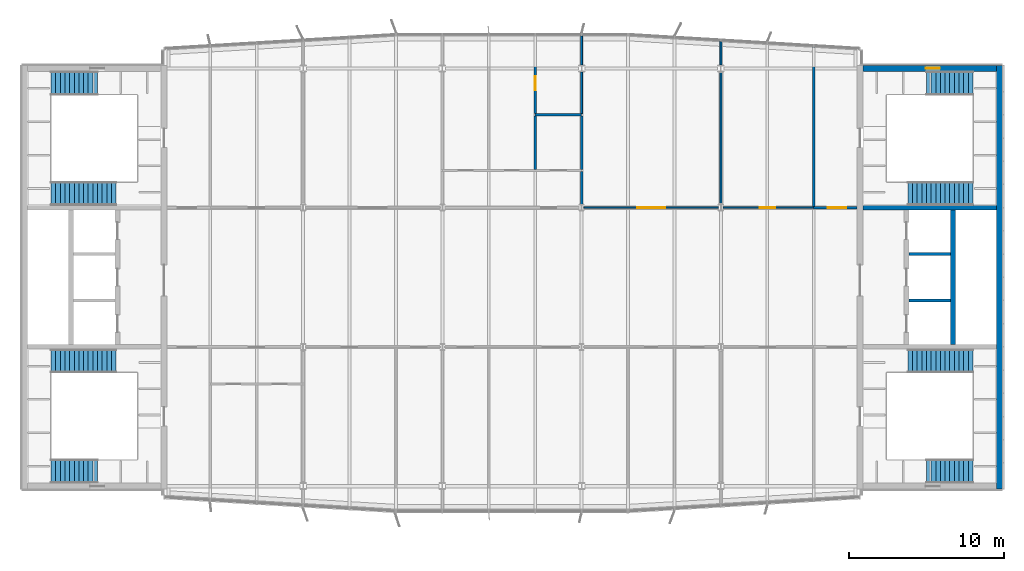
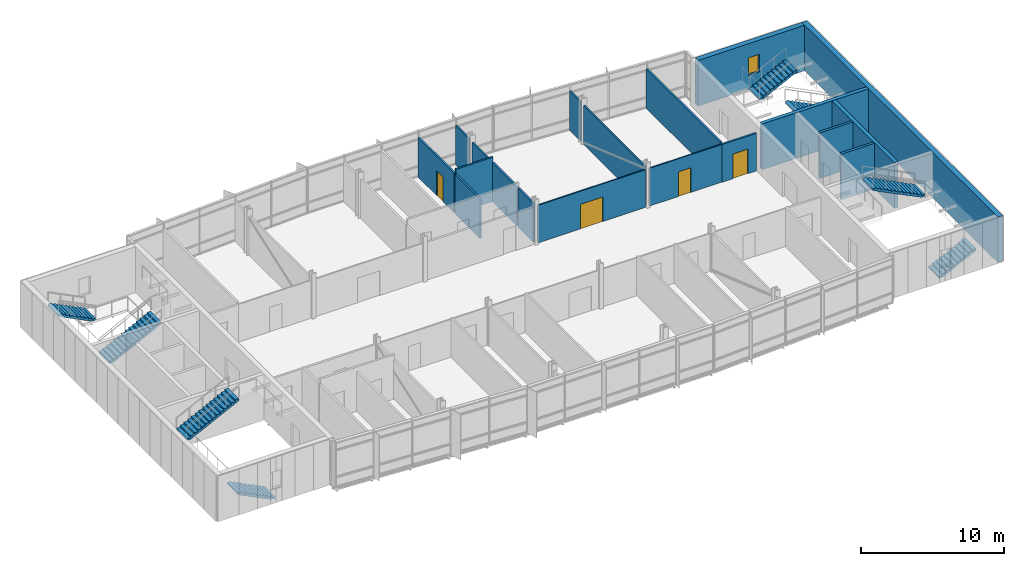
# One storey, part 18 of 21: 19 walls, 8 stair flights, 4 doors, 1 window, 5 openings, 4 elements without a shape of their own.
"""IFC4 building model written with IfcOpenShell, lengths in metres."""

from ifc_helpers import new_model, si_unit, direction, frame, frame_2d, origin, place, context, subcontext, project, spatial, polyline, rectangle, outline, extrude, material, layer, layer_set, type_object, element, fill, aggregate, save


model = new_model("IFC4")

# Units and contexts
model_context = context("Model", 3, precision=1e-05, world=origin(), true_north=direction((0.0, 1.0)))
body_context = subcontext(model_context, "Body", "Model", "MODEL_VIEW")
ifc_project = project(units=[si_unit("LENGTHUNIT", "METRE"), si_unit("AREAUNIT", "SQUARE_METRE"), si_unit("VOLUMEUNIT", "CUBIC_METRE"), si_unit("PLANEANGLEUNIT", "RADIAN"), si_unit("MASSUNIT", "GRAM", prefix="KILO")], contexts=[model_context])

# Site, building, storey
site_placement = place(None, origin())
site = spatial("IfcSite", under=ifc_project, at=site_placement, CompositionType="ELEMENT")
building_placement = place(site_placement, origin())
building = spatial("IfcBuilding", under=site, at=building_placement, Name="Azimuth Sports and Learning Centre", CompositionType="ELEMENT")
storey_placement = place(building_placement, frame((0.0, 0.0, 48.0)))
storey = spatial("IfcBuildingStorey", under=building, at=storey_placement, Name="L10", CompositionType="ELEMENT", Elevation=48.0)

# Walls
ifc_material_1 = material(Name="Dense masonry blockwork", Category="masonry")
ifc_layer_1 = layer(ifc_material_1, 0.199951171875)
ifc_layer_set_1 = layer_set([ifc_layer_1], Name="Dense masonry blockwork")
wall_type_1 = type_object("IfcWallType", Name="Blockwork wall 200 EI 120", PredefinedType="SOLIDWALL", material=ifc_layer_set_1)
for number, where, z_axis, x_axis, name in (
    (1, (111.14990234375, 102.0, 0.0), (0.0, 0.0, 1.0), (1.0, 0.0, 0.0), "SD-E-1-L10"),
    (2, (111.14990234375, 105.0, 0.0), (0.0, 0.0, 1.0), (1.0, 0.0, 0.0), "SD-E-2-L10"),
):
    element("IfcWall", number, at=place(storey_placement, frame(where, z_axis=z_axis, x_axis=x_axis)), inside=storey, type_object=wall_type_1, Name=name, PredefinedType="SOLIDWALL", context=body_context, shape_type="SweptSolid", body=[
        extrude(rectangle(XDim=2.7001953125, YDim=0.199951171875, at=frame_2d((1.35009765625, 0.0))), origin(), (0.0, 0.0, 1.0), 3.89990234375),
    ])

# Wall, opening, door
ifc_material_2 = material(Name="Gypsum board on steel studs", Category="steel")
ifc_layer_2 = layer(ifc_material_2, 0.10009765625)
ifc_layer_set_2 = layer_set([ifc_layer_2], Name="Gypsum board on steel studs")
wall_type_2 = type_object("IfcWallType", Name="Partition 100 EI 30", PredefinedType="PARTITIONING", material=ifc_layer_set_2)
wall_1_placement = place(storey_placement, frame((90.153564453125, 108.0, 0.0), z_axis=(0.0, 0.0, 1.0), x_axis=(1.0, 0.0, 0.0)))
wall_1 = element("IfcWall", 3, at=wall_1_placement, inside=storey, type_object=wall_type_2, Name="Partition Seminar Room 10.24 / Classroom 10.25", PredefinedType="PARTITIONING", context=body_context, shape_type="SweptSolid", body=[
    extrude(rectangle(XDim=8.69287109375, YDim=0.10009765625, at=frame_2d((4.346435546875, 0.0))), origin(), (0.0, 0.0, 1.0), 3.219970703125),
])
opening_1_placement = place(wall_1_placement, frame((3.446533203125, 0.0, 0.0)))
opening_1 = element("IfcOpeningElement", 4, at=opening_1_placement, cuts=wall_1, Name="Opening D10-026", PredefinedType="OPENING", context=body_context, shape_type="SweptSolid", body=[
    extrude(rectangle(XDim=1.800048828125, YDim=2.10009765625, at=frame_2d((0.89990234375, 1.050048828125))), frame((0.0, 0.06103515625, 0.0), z_axis=(0.0, -1.0, 0.0), x_axis=(1.0, 0.0, 0.0)), (0.0, 0.0, 1.0), 0.1220703125),
])
ifc_material_3 = material(Name="Painted steel door set", Category="steel")
door_type_1 = type_object("IfcDoorType", Name="Fire door FD30S 1800 x 2100 double leaf", OperationType="DOUBLE_DOOR_SINGLE_SWING", PredefinedType="DOOR", material=ifc_material_3)
door_1_placement = place(opening_1_placement, origin())
door_1 = element("IfcDoor", 5, at=door_1_placement, inside=storey, type_object=door_type_1, Name="Door Seminar Room 10.24 / Learning Street", OperationType="DOUBLE_DOOR_SINGLE_SWING", OverallHeight=2.10009765625, OverallWidth=1.800048828125, PredefinedType="DOOR", context=body_context, shape_type="SweptSolid", body=[
    extrude(rectangle(XDim=1.800048828125, YDim=2.10009765625, at=frame_2d((0.89990234375, 1.050048828125))), frame((0.0, 0.02490234375, 0.0), z_axis=(0.0, -1.0, 0.0), x_axis=(1.0, 0.0, 0.0)), (0.0, 0.0, 1.0), 0.050048828125),
])
fill(opening_1, door_1)

wall_2_placement = place(storey_placement, frame((99.153564453125, 108.0, 0.0), z_axis=(0.0, 0.0, 1.0), x_axis=(1.0, 0.0, 0.0)))
wall_2 = element("IfcWall", 6, at=wall_2_placement, inside=storey, type_object=wall_type_2, Name="Partition Seminar Room 10.24 / Classroom 10.25", PredefinedType="PARTITIONING", context=body_context, shape_type="SweptSolid", body=[
    extrude(rectangle(XDim=5.846435546875, YDim=0.10009765625, at=frame_2d((2.92333984375, 0.0))), origin(), (0.0, 0.0, 1.0), 3.219970703125),
])
opening_2_placement = place(wall_2_placement, frame((2.346435546875, 0.0, 0.0)))
opening_2 = element("IfcOpeningElement", 7, at=opening_2_placement, cuts=wall_2, Name="Opening D10-027", PredefinedType="OPENING", context=body_context, shape_type="SweptSolid", body=[
    extrude(rectangle(XDim=1.0, YDim=2.10009765625, at=frame_2d((0.5, 1.050048828125))), frame((0.0, 0.06103515625, 0.0), z_axis=(0.0, -1.0, 0.0), x_axis=(1.0, 0.0, 0.0)), (0.0, 0.0, 1.0), 0.1220703125),
])
ifc_material_4 = material(Name="Painted steel door set", Category="steel")
door_type_2 = type_object("IfcDoorType", Name="Fire door FD30S 1000 x 2100", OperationType="NOTDEFINED", PredefinedType="DOOR", material=ifc_material_4)
door_2_placement = place(opening_2_placement, origin())
door_2 = element("IfcDoor", 8, at=door_2_placement, inside=storey, type_object=door_type_2, Name="Door Classroom 10.25 / Learning Street", OperationType="SINGLE_SWING_LEFT", OverallHeight=2.10009765625, OverallWidth=1.0, PredefinedType="DOOR", context=body_context, shape_type="SweptSolid", body=[
    extrude(rectangle(XDim=1.0, YDim=2.10009765625, at=frame_2d((0.5, 1.050048828125))), frame((0.0, 0.02490234375, 0.0), z_axis=(0.0, -1.0, 0.0), x_axis=(1.0, 0.0, 0.0)), (0.0, 0.0, 1.0), 0.050048828125),
])
fill(opening_2, door_2)

# Walls
ifc_material_5 = material(Name="Gypsum board on steel studs, acoustic", Category="steel")
ifc_layer_3 = layer(ifc_material_5, 0.125)
ifc_layer_set_3 = layer_set([ifc_layer_3], Name="Gypsum board on steel studs, acoustic")
wall_type_3 = type_object("IfcWallType", Name="Partition 125 EI 60", PredefinedType="PARTITIONING", material=ifc_layer_set_3)
wall_3_placement = place(storey_placement, frame((90.0, 114.074951171875, 0.0), z_axis=(0.0, 0.0, 1.0), x_axis=(0.0, 1.0, 0.0)))
element("IfcWall", 9, at=wall_3_placement, inside=storey, type_object=wall_type_3, Name="Partition Cleaner Store 10.23 / Seminar Room 10.24", PredefinedType="PARTITIONING", context=body_context, shape_type="SweptSolid", body=[
    extrude(rectangle(XDim=2.697509765625, YDim=0.125, at=frame_2d((1.3486328125, 0.0))), origin(), (0.0, 0.0, 1.0), 3.320068359375),
])
wall_4_placement = place(storey_placement, frame((90.0, 117.2275390625, 0.0), z_axis=(0.0, 0.0, 1.0), x_axis=(0.0, 1.0, 0.0)))
element("IfcWall", 10, at=wall_4_placement, inside=storey, type_object=wall_type_3, Name="Partition Cleaner Store 10.23 / Seminar Room 10.24", PredefinedType="PARTITIONING", context=body_context, shape_type="SweptSolid", body=[
    extrude(rectangle(XDim=1.87255859375, YDim=0.125, at=frame_2d((0.936279296875, 0.0))), origin(), (0.0, 0.0, 1.0), 3.3701171875),
])
wall_5_placement = place(storey_placement, frame((99.0, 108.216064453125, 0.0), z_axis=(0.0, 0.0, 1.0), x_axis=(0.0, 1.0, 0.0)))
element("IfcWall", 11, at=wall_5_placement, inside=storey, type_object=wall_type_3, Name="Partition Seminar Room 10.24 / Classroom 10.25", PredefinedType="PARTITIONING", context=body_context, shape_type="SweptSolid", body=[
    extrude(rectangle(XDim=8.556396484375, YDim=0.125, at=frame_2d((4.2783203125, 0.0))), origin(), (0.0, 0.0, 1.0), 3.320068359375),
])
wall_6_placement = place(storey_placement, frame((99.0, 117.2275390625, 0.0), z_axis=(0.0, 0.0, 1.0), x_axis=(0.0, 1.0, 0.0)))
element("IfcWall", 12, at=wall_6_placement, inside=storey, type_object=wall_type_3, Name="Partition Seminar Room 10.24 / Classroom 10.25", PredefinedType="PARTITIONING", context=body_context, shape_type="SweptSolid", body=[
    extrude(rectangle(XDim=1.512451171875, YDim=0.125, at=frame_2d((0.75634765625, 0.0))), origin(), (0.0, 0.0, 1.0), 3.3701171875),
])

# Wall, opening, door
ifc_material_6 = material(Name="Lightweight blockwork, rendered", Category="masonry")
ifc_layer_4 = layer(ifc_material_6, 0.14990234375)
ifc_layer_set_4 = layer_set([ifc_layer_4], Name="Lightweight blockwork, rendered")
wall_type_4 = type_object("IfcWallType", Name="Partition 150 EI 60", PredefinedType="PARTITIONING", material=ifc_layer_set_4)
wall_7_placement = place(storey_placement, frame((105.0, 108.0, 0.0), z_axis=(0.0, 0.0, 1.0), x_axis=(1.0, 0.0, 0.0)))
wall_7 = element("IfcWall", 13, at=wall_7_placement, inside=storey, type_object=wall_type_4, Name="Partition Stair Lobby E2 10.04 / Learning Street", PredefinedType="PARTITIONING", context=body_context, shape_type="SweptSolid", body=[
    extrude(rectangle(XDim=2.800048828125, YDim=0.14990234375, at=frame_2d((1.39990234375, 0.0))), origin(), (0.0, 0.0, 1.0), 3.219970703125),
])
opening_3_placement = place(wall_7_placement, frame((0.89990234375, 0.0, 0.0)))
opening_3 = element("IfcOpeningElement", 14, at=opening_3_placement, cuts=wall_7, Name="Opening D10-014", PredefinedType="OPENING", context=body_context, shape_type="SweptSolid", body=[
    extrude(rectangle(XDim=1.199951171875, YDim=2.10009765625, at=frame_2d((0.60009765625, 1.050048828125))), frame((0.0, 0.0859375, 0.0), z_axis=(0.0, -1.0, 0.0), x_axis=(1.0, 0.0, 0.0)), (0.0, 0.0, 1.0), 0.171875),
])
ifc_material_7 = material(Name="Painted steel door set", Category="steel")
door_type_3 = type_object("IfcDoorType", Name="Fire door FD60 1200 x 2100", OperationType="NOTDEFINED", PredefinedType="DOOR", material=ifc_material_7)
door_3_placement = place(opening_3_placement, origin())
door_3 = element("IfcDoor", 15, at=door_3_placement, inside=storey, type_object=door_type_3, Name="Door Stair Lobby E2 10.04 / Learning Street", OperationType="SINGLE_SWING_RIGHT", OverallHeight=2.10009765625, OverallWidth=1.199951171875, PredefinedType="DOOR", context=body_context, shape_type="SweptSolid", body=[
    extrude(rectangle(XDim=1.199951171875, YDim=2.10009765625, at=frame_2d((0.60009765625, 1.050048828125))), frame((0.0, 0.02490234375, 0.0), z_axis=(0.0, -1.0, 0.0), x_axis=(1.0, 0.0, 0.0)), (0.0, 0.0, 1.0), 0.050048828125),
])
fill(opening_3, door_3)

# Walls
wall_8_placement = place(storey_placement, frame((87.0, 114.0, 0.0), z_axis=(0.0, 0.0, 1.0), x_axis=(1.0, 0.0, 0.0)))
element("IfcWall", 16, at=wall_8_placement, inside=storey, type_object=wall_type_4, Name="Partition Accessible WC 10.22 / Cleaner Store 10.23", PredefinedType="PARTITIONING", context=body_context, shape_type="SweptSolid", body=[
    extrude(rectangle(XDim=3.0, YDim=0.14990234375, at=frame_2d((1.5, 0.0))), origin(), (0.0, 0.0, 1.0), 3.77001953125),
])
wall_9_placement = place(storey_placement, frame((87.0, 110.47509765625, 0.0), z_axis=(0.0, 0.0, 1.0), x_axis=(0.0, 1.0, 0.0)))
element("IfcWall", 17, at=wall_9_placement, inside=storey, type_object=wall_type_4, Name="Partition Women WC 10.21 / Accessible WC 10.22", PredefinedType="PARTITIONING", context=body_context, shape_type="SweptSolid", body=[
    extrude(rectangle(XDim=3.449951171875, YDim=0.14990234375, at=frame_2d((1.72509765625, 0.0))), origin(), (0.0, 0.0, 1.0), 3.3701171875),
])

# Wall, opening, door
wall_10_placement = place(storey_placement, frame((87.0, 114.074951171875, 0.0), z_axis=(0.0, 0.0, 1.0), x_axis=(0.0, 1.0, 0.0)))
wall_10 = element("IfcWall", 18, at=wall_10_placement, inside=storey, type_object=wall_type_4, Name="Partition Women WC 10.21 / Accessible WC 10.22", PredefinedType="PARTITIONING", context=body_context, shape_type="SweptSolid", body=[
    extrude(rectangle(XDim=5.025146484375, YDim=0.14990234375, at=frame_2d((2.5126953125, 0.0))), origin(), (0.0, 0.0, 1.0), 3.3701171875),
])
opening_4_placement = place(wall_10_placement, frame((1.52490234375, 0.0, 0.0)))
opening_4 = element("IfcOpeningElement", 19, at=opening_4_placement, cuts=wall_10, Name="Opening D10-033", PredefinedType="OPENING", context=body_context, shape_type="SweptSolid", body=[
    extrude(rectangle(XDim=0.89990234375, YDim=2.10009765625, at=frame_2d((0.449951171875, 1.050048828125))), frame((0.0, 0.0859375, 0.0), z_axis=(0.0, -1.0, 0.0), x_axis=(1.0, 0.0, 0.0)), (0.0, 0.0, 1.0), 0.171875),
])
ifc_material_8 = material(Name="Painted steel door set", Category="steel")
door_type_4 = type_object("IfcDoorType", Name="Fire door FD60 900 x 2100", OperationType="NOTDEFINED", PredefinedType="DOOR", material=ifc_material_8)
door_4_placement = place(opening_4_placement, frame((0.89990234375, 0.0, 0.0), z_axis=(0.0, 0.0, 1.0), x_axis=(-1.0, 0.0, 0.0)))
door_4 = element("IfcDoor", 20, at=door_4_placement, inside=storey, type_object=door_type_4, Name="Door Women WC 10.21 / Cleaner Store 10.23", OperationType="SINGLE_SWING_RIGHT", OverallHeight=2.10009765625, OverallWidth=0.89990234375, PredefinedType="DOOR", context=body_context, shape_type="SweptSolid", body=[
    extrude(rectangle(XDim=0.89990234375, YDim=2.10009765625, at=frame_2d((0.449951171875, 1.050048828125))), frame((0.0, 0.02490234375, 0.0), z_axis=(0.0, -1.0, 0.0), x_axis=(1.0, 0.0, 0.0)), (0.0, 0.0, 1.0), 0.050048828125),
])
fill(opening_4, door_4)

# Walls
wall_11_placement = place(storey_placement, frame((90.0, 108.216064453125, 0.0), z_axis=(0.0, 0.0, 1.0), x_axis=(0.0, 1.0, 0.0)))
element("IfcWall", 21, at=wall_11_placement, inside=storey, type_object=wall_type_4, Name="Partition WC Lobby 10.19 / Accessible WC 10.22", PredefinedType="PARTITIONING", context=body_context, shape_type="SweptSolid", body=[
    extrude(rectangle(XDim=2.10888671875, YDim=0.14990234375, at=frame_2d((1.054443359375, 0.0))), origin(), (0.0, 0.0, 1.0), 3.320068359375),
])
wall_12_placement = place(storey_placement, frame((90.0, 110.47509765625, 0.0), z_axis=(0.0, 0.0, 1.0), x_axis=(0.0, 1.0, 0.0)))
element("IfcWall", 22, at=wall_12_placement, inside=storey, type_object=wall_type_4, Name="Partition WC Lobby 10.19 / Accessible WC 10.22", PredefinedType="PARTITIONING", context=body_context, shape_type="SweptSolid", body=[
    extrude(rectangle(XDim=3.449951171875, YDim=0.14990234375, at=frame_2d((1.72509765625, 0.0))), origin(), (0.0, 0.0, 1.0), 3.320068359375),
])
wall_13_placement = place(storey_placement, frame((105.0, 108.074951171875, 0.0), z_axis=(0.0, 0.0, 1.0), x_axis=(0.0, 1.0, 0.0)))
element("IfcWall", 23, at=wall_13_placement, inside=storey, type_object=wall_type_4, Name="Partition Stair Lobby E2 10.04 / Classroom 10.25", PredefinedType="PARTITIONING", context=body_context, shape_type="SweptSolid", body=[
    extrude(rectangle(XDim=10.304931640625, YDim=0.14990234375, at=frame_2d((5.15234375, 0.0))), origin(), (0.0, 0.0, 1.0), 3.3701171875),
])
ifc_material_9 = material(Name="Concrete C40/50", Category="concrete")
ifc_layer_5 = layer(ifc_material_9, 0.300048828125)
ifc_layer_set_5 = layer_set([ifc_layer_5], Name="Concrete C40/50")
wall_type_5 = type_object("IfcWallType", Name="RC core wall 300", PredefinedType="SHEAR", material=ifc_layer_set_5)
wall_14_placement = place(storey_placement, frame((108.199951171875, 108.0, 0.0), z_axis=(0.0, 0.0, 1.0), x_axis=(1.0, 0.0, 0.0)))
element("IfcWall", 24, at=wall_14_placement, inside=storey, type_object=wall_type_5, Name="Core wall E D2 L10", PredefinedType="SHEAR", context=body_context, shape_type="SweptSolid", body=[
    extrude(rectangle(XDim=8.60009765625, YDim=0.300048828125, at=frame_2d((4.300048828125, 0.0))), origin(), (0.0, 0.0, 1.0), 3.89990234375),
])
wall_15_placement = place(storey_placement, frame((114.0, 99.14990234375, 0.0), z_axis=(0.0, 0.0, 1.0), x_axis=(0.0, 1.0, 0.0)))
element("IfcWall", 25, at=wall_15_placement, inside=storey, type_object=wall_type_5, Name="Core wall E LB2 L10", PredefinedType="SHEAR", context=body_context, shape_type="SweptSolid", body=[
    extrude(rectangle(XDim=8.7001953125, YDim=0.300048828125, at=frame_2d((4.35009765625, 0.0))), origin(), (0.0, 0.0, 1.0), 3.89990234375),
])

# Wall, opening, window
ifc_material_10 = material(Name="Concrete C40/50", Category="concrete")
ifc_layer_6 = layer(ifc_material_10, 0.39990234375)
ifc_layer_set_6 = layer_set([ifc_layer_6], Name="Concrete C40/50")
wall_type_6 = type_object("IfcWallType", Name="RC external core wall 400", PredefinedType="SHEAR", material=ifc_layer_set_6)
wall_16_placement = place(storey_placement, frame((108.199951171875, 117.0, 0.0), z_axis=(0.0, 0.0, 1.0), x_axis=(1.0, 0.0, 0.0)))
wall_16 = element("IfcWall", 26, at=wall_16_placement, inside=storey, type_object=wall_type_6, Name="Core wall E N L10", PredefinedType="SHEAR", context=body_context, shape_type="SweptSolid", body=[
    extrude(rectangle(XDim=8.60009765625, YDim=0.39990234375, at=frame_2d((4.300048828125, 0.0))), origin(), (0.0, 0.0, 1.0), 3.89990234375),
])
opening_5_placement = place(wall_16_placement, frame((4.050048828125, 0.0, 1.199951171875)))
opening_5 = element("IfcOpeningElement", 27, at=opening_5_placement, cuts=wall_16, Name="Opening W10-003", PredefinedType="OPENING", context=body_context, shape_type="SweptSolid", body=[
    extrude(rectangle(XDim=0.89990234375, YDim=1.5, at=frame_2d((0.449951171875, 0.75))), frame((0.0, 0.2109375, 0.0), z_axis=(0.0, -1.0, 0.0), x_axis=(1.0, 0.0, 0.0)), (0.0, 0.0, 1.0), 0.421875),
])
ifc_material_11 = material(Name="Aluminium and glass", Category="aluminium")
window_type = type_object("IfcWindowType", Name="Stair window tower core 900x1500", PartitioningType="SINGLE_PANEL", PredefinedType="WINDOW", material=ifc_material_11)
window_placement = place(opening_5_placement, origin())
window = element("IfcWindow", 28, at=window_placement, inside=storey, type_object=window_type, Name="Window W10-003", OverallHeight=1.5, OverallWidth=0.89990234375, PartitioningType="SINGLE_PANEL", PredefinedType="WINDOW", context=body_context, shape_type="SweptSolid", body=[
    extrude(rectangle(XDim=0.89990234375, YDim=1.5, at=frame_2d((0.449951171875, 0.75))), frame((0.0, 0.030029296875, 0.0), z_axis=(0.0, -1.0, 0.0), x_axis=(1.0, 0.0, 0.0)), (0.0, 0.0, 1.0), 0.06005859375),
])
fill(opening_5, window)

# Wall
wall_17_placement = place(storey_placement, frame((117.0, 89.800048828125, 0.0), z_axis=(0.0, 0.0, 1.0), x_axis=(0.0, 1.0, 0.0)))
element("IfcWall", 29, at=wall_17_placement, inside=storey, type_object=wall_type_6, Name="Core wall E E L10", PredefinedType="SHEAR", context=body_context, shape_type="SweptSolid", body=[
    extrude(rectangle(XDim=27.39990234375, YDim=0.39990234375, at=frame_2d((13.699951171875, 0.0))), origin(), (0.0, 0.0, 1.0), 3.89990234375),
])

# Stair, stair flight
ifc_material_12 = material(Name="Concrete C32/40", Category="concrete")
stair_type = type_object("IfcStairType", Name="Square-well stair core 3900 storey", PredefinedType="THREE_QUARTER_TURN_STAIR", material=ifc_material_12)
stair_1_placement = place(storey_placement, origin())
stair_1 = element("IfcStair", 30, at=stair_1_placement, inside=storey, type_object=stair_type, Name="Stair W1 L10-L11", PredefinedType="THREE_QUARTER_TURN_STAIR")
ifc_material_13 = material(Name="Concrete C32/40", Category="concrete")
stair_flight_type_1 = type_object("IfcStairFlightType", Name="Stair flight 11 risers", PredefinedType="STRAIGHT", material=ifc_material_13)
stair_flight_1_placement = place(storey_placement, frame((58.7099609375, 90.9599609375, 0.0), z_axis=(0.0, 0.0, 1.0), x_axis=(-1.0, 0.0, 0.0)))
stair_flight_1 = element("IfcStairFlight", 31, at=stair_flight_1_placement, type_object=stair_flight_type_1, Name="Stair W1 L10 flight 1", NumberOfRisers=11, NumberOfTreads=10, PredefinedType="STRAIGHT", RiserHeight=0.15, TreadLength=0.3, context=body_context, shape_type="SweptSolid", body=[
    extrude(outline(polyline([(0.0, 0.0), (0.0, 0.14990234375), (0.300048828125, 0.14990234375), (0.300048828125, 0.300048828125), (0.60009765625, 0.300048828125), (0.60009765625, 0.449951171875), (0.89990234375, 0.449951171875), (0.89990234375, 0.60009765625), (1.199951171875, 0.60009765625), (1.199951171875, 0.75), (1.5, 0.75), (1.5, 0.89990234375), (1.800048828125, 0.89990234375), (1.800048828125, 1.050048828125), (2.10009765625, 1.050048828125), (2.10009765625, 1.199951171875), (2.39990234375, 1.199951171875), (2.39990234375, 1.35009765625), (2.699951171875, 1.35009765625), (2.699951171875, 1.5), (3.0, 1.5), (3.0, 1.64990234375), (3.0, 1.33251953125), (0.335205078125, 0.0), (0.0, 0.0)])), frame((0.0, 0.75, 0.0), z_axis=(0.0, -1.0, 0.0), x_axis=(1.0, 0.0, 0.0)), (0.0, 0.0, 1.0), 1.5),
])

stair_2_placement = place(storey_placement, origin())
stair_2 = element("IfcStair", 32, at=stair_2_placement, inside=storey, type_object=stair_type, Name="Stair W2 L10-L11", PredefinedType="THREE_QUARTER_TURN_STAIR")
stair_flight_2_placement = place(storey_placement, frame((58.7099609375, 116.0400390625, 0.0), z_axis=(0.0, 0.0, 1.0), x_axis=(-1.0, 0.0, 0.0)))
stair_flight_2 = element("IfcStairFlight", 33, at=stair_flight_2_placement, type_object=stair_flight_type_1, Name="Stair W2 L10 flight 1", NumberOfRisers=11, NumberOfTreads=10, PredefinedType="STRAIGHT", RiserHeight=0.15, TreadLength=0.3, context=body_context, shape_type="SweptSolid", body=[
    extrude(outline(polyline([(0.0, 0.0), (0.0, 0.14990234375), (0.300048828125, 0.14990234375), (0.300048828125, 0.300048828125), (0.60009765625, 0.300048828125), (0.60009765625, 0.449951171875), (0.89990234375, 0.449951171875), (0.89990234375, 0.60009765625), (1.199951171875, 0.60009765625), (1.199951171875, 0.75), (1.5, 0.75), (1.5, 0.89990234375), (1.800048828125, 0.89990234375), (1.800048828125, 1.050048828125), (2.10009765625, 1.050048828125), (2.10009765625, 1.199951171875), (2.39990234375, 1.199951171875), (2.39990234375, 1.35009765625), (2.699951171875, 1.35009765625), (2.699951171875, 1.5), (3.0, 1.5), (3.0, 1.64990234375), (3.0, 1.33251953125), (0.335205078125, 0.0), (0.0, 0.0)])), frame((0.0, 0.75, 0.0), z_axis=(0.0, -1.0, 0.0), x_axis=(1.0, 0.0, 0.0)), (0.0, 0.0, 1.0), 1.5),
])

stair_3_placement = place(storey_placement, origin())
stair_3 = element("IfcStair", 34, at=stair_3_placement, inside=storey, type_object=stair_type, Name="Stair E1 L10-L11", PredefinedType="THREE_QUARTER_TURN_STAIR")
stair_flight_3_placement = place(storey_placement, frame((112.2900390625, 90.9599609375, 0.0), z_axis=(0.0, 0.0, 1.0), x_axis=(1.0, 0.0, 0.0)))
stair_flight_3 = element("IfcStairFlight", 35, at=stair_flight_3_placement, type_object=stair_flight_type_1, Name="Stair E1 L10 flight 1", NumberOfRisers=11, NumberOfTreads=10, PredefinedType="STRAIGHT", RiserHeight=0.15, TreadLength=0.3, context=body_context, shape_type="SweptSolid", body=[
    extrude(outline(polyline([(0.0, 0.0), (0.0, 0.14990234375), (0.300048828125, 0.14990234375), (0.300048828125, 0.300048828125), (0.60009765625, 0.300048828125), (0.60009765625, 0.449951171875), (0.89990234375, 0.449951171875), (0.89990234375, 0.60009765625), (1.199951171875, 0.60009765625), (1.199951171875, 0.75), (1.5, 0.75), (1.5, 0.89990234375), (1.800048828125, 0.89990234375), (1.800048828125, 1.050048828125), (2.10009765625, 1.050048828125), (2.10009765625, 1.199951171875), (2.39990234375, 1.199951171875), (2.39990234375, 1.35009765625), (2.699951171875, 1.35009765625), (2.699951171875, 1.5), (3.0, 1.5), (3.0, 1.64990234375), (3.0, 1.33251953125), (0.335205078125, 0.0), (0.0, 0.0)])), frame((0.0, 0.75, 0.0), z_axis=(0.0, -1.0, 0.0), x_axis=(1.0, 0.0, 0.0)), (0.0, 0.0, 1.0), 1.5),
])

stair_4_placement = place(storey_placement, origin())
stair_4 = element("IfcStair", 36, at=stair_4_placement, inside=storey, type_object=stair_type, Name="Stair E2 L10-L11", PredefinedType="THREE_QUARTER_TURN_STAIR")
stair_flight_4_placement = place(storey_placement, frame((112.2900390625, 116.0400390625, 0.0), z_axis=(0.0, 0.0, 1.0), x_axis=(1.0, 0.0, 0.0)))
stair_flight_4 = element("IfcStairFlight", 37, at=stair_flight_4_placement, type_object=stair_flight_type_1, Name="Stair E2 L10 flight 1", NumberOfRisers=11, NumberOfTreads=10, PredefinedType="STRAIGHT", RiserHeight=0.15, TreadLength=0.3, context=body_context, shape_type="SweptSolid", body=[
    extrude(outline(polyline([(0.0, 0.0), (0.0, 0.14990234375), (0.300048828125, 0.14990234375), (0.300048828125, 0.300048828125), (0.60009765625, 0.300048828125), (0.60009765625, 0.449951171875), (0.89990234375, 0.449951171875), (0.89990234375, 0.60009765625), (1.199951171875, 0.60009765625), (1.199951171875, 0.75), (1.5, 0.75), (1.5, 0.89990234375), (1.800048828125, 0.89990234375), (1.800048828125, 1.050048828125), (2.10009765625, 1.050048828125), (2.10009765625, 1.199951171875), (2.39990234375, 1.199951171875), (2.39990234375, 1.35009765625), (2.699951171875, 1.35009765625), (2.699951171875, 1.5), (3.0, 1.5), (3.0, 1.64990234375), (3.0, 1.33251953125), (0.335205078125, 0.0), (0.0, 0.0)])), frame((0.0, 0.75, 0.0), z_axis=(0.0, -1.0, 0.0), x_axis=(1.0, 0.0, 0.0)), (0.0, 0.0, 1.0), 1.5),
])

# Stair flight
ifc_material_14 = material(Name="Concrete C32/40", Category="concrete")
stair_flight_type_2 = type_object("IfcStairFlightType", Name="Stair flight 15 risers", PredefinedType="STRAIGHT", material=ifc_material_14)
stair_flight_5_placement = place(storey_placement, frame((55.7099609375, 98.090087890625, 1.64990234375), z_axis=(0.0, 0.0, 1.0), x_axis=(1.0, 0.0, 0.0)))
stair_flight_5 = element("IfcStairFlight", 38, at=stair_flight_5_placement, type_object=stair_flight_type_2, Name="Stair W1 L10 flight 2", NumberOfRisers=15, NumberOfTreads=14, PredefinedType="STRAIGHT", RiserHeight=0.15, TreadLength=0.3, context=body_context, shape_type="SweptSolid", body=[
    extrude(outline(polyline([(0.0, 0.0), (0.0, 0.14990234375), (0.300048828125, 0.14990234375), (0.300048828125, 0.300048828125), (0.60009765625, 0.300048828125), (0.60009765625, 0.449951171875), (0.89990234375, 0.449951171875), (0.89990234375, 0.60009765625), (1.199951171875, 0.60009765625), (1.199951171875, 0.75), (1.5, 0.75), (1.5, 0.89990234375), (1.800048828125, 0.89990234375), (1.800048828125, 1.050048828125), (2.10009765625, 1.050048828125), (2.10009765625, 1.199951171875), (2.39990234375, 1.199951171875), (2.39990234375, 1.35009765625), (2.699951171875, 1.35009765625), (2.699951171875, 1.5), (3.0, 1.5), (3.0, 1.64990234375), (3.300048828125, 1.64990234375), (3.300048828125, 1.800048828125), (3.60009765625, 1.800048828125), (3.60009765625, 1.949951171875), (3.89990234375, 1.949951171875), (3.89990234375, 2.10009765625), (4.199951171875, 2.10009765625), (4.199951171875, 2.25), (4.199951171875, 1.932373046875), (0.335205078125, 0.0), (0.0, 0.0)])), frame((0.0, 0.75, 0.0), z_axis=(0.0, -1.0, 0.0), x_axis=(1.0, 0.0, 0.0)), (0.0, 0.0, 1.0), 1.5),
])

aggregate(stair_1, [stair_flight_1, stair_flight_5])

stair_flight_6_placement = place(storey_placement, frame((55.7099609375, 108.909912109375, 1.64990234375), z_axis=(0.0, 0.0, 1.0), x_axis=(1.0, 0.0, 0.0)))
stair_flight_6 = element("IfcStairFlight", 39, at=stair_flight_6_placement, type_object=stair_flight_type_2, Name="Stair W2 L10 flight 2", NumberOfRisers=15, NumberOfTreads=14, PredefinedType="STRAIGHT", RiserHeight=0.15, TreadLength=0.3, context=body_context, shape_type="SweptSolid", body=[
    extrude(outline(polyline([(0.0, 0.0), (0.0, 0.14990234375), (0.300048828125, 0.14990234375), (0.300048828125, 0.300048828125), (0.60009765625, 0.300048828125), (0.60009765625, 0.449951171875), (0.89990234375, 0.449951171875), (0.89990234375, 0.60009765625), (1.199951171875, 0.60009765625), (1.199951171875, 0.75), (1.5, 0.75), (1.5, 0.89990234375), (1.800048828125, 0.89990234375), (1.800048828125, 1.050048828125), (2.10009765625, 1.050048828125), (2.10009765625, 1.199951171875), (2.39990234375, 1.199951171875), (2.39990234375, 1.35009765625), (2.699951171875, 1.35009765625), (2.699951171875, 1.5), (3.0, 1.5), (3.0, 1.64990234375), (3.300048828125, 1.64990234375), (3.300048828125, 1.800048828125), (3.60009765625, 1.800048828125), (3.60009765625, 1.949951171875), (3.89990234375, 1.949951171875), (3.89990234375, 2.10009765625), (4.199951171875, 2.10009765625), (4.199951171875, 2.25), (4.199951171875, 1.932373046875), (0.335205078125, 0.0), (0.0, 0.0)])), frame((0.0, 0.75, 0.0), z_axis=(0.0, -1.0, 0.0), x_axis=(1.0, 0.0, 0.0)), (0.0, 0.0, 1.0), 1.5),
])

aggregate(stair_2, [stair_flight_2, stair_flight_6])

stair_flight_7_placement = place(storey_placement, frame((115.2900390625, 98.090087890625, 1.64990234375), z_axis=(0.0, 0.0, 1.0), x_axis=(-1.0, 0.0, 0.0)))
stair_flight_7 = element("IfcStairFlight", 40, at=stair_flight_7_placement, type_object=stair_flight_type_2, Name="Stair E1 L10 flight 2", NumberOfRisers=15, NumberOfTreads=14, PredefinedType="STRAIGHT", RiserHeight=0.15, TreadLength=0.3, context=body_context, shape_type="SweptSolid", body=[
    extrude(outline(polyline([(0.0, 0.0), (0.0, 0.14990234375), (0.300048828125, 0.14990234375), (0.300048828125, 0.300048828125), (0.60009765625, 0.300048828125), (0.60009765625, 0.449951171875), (0.89990234375, 0.449951171875), (0.89990234375, 0.60009765625), (1.199951171875, 0.60009765625), (1.199951171875, 0.75), (1.5, 0.75), (1.5, 0.89990234375), (1.800048828125, 0.89990234375), (1.800048828125, 1.050048828125), (2.10009765625, 1.050048828125), (2.10009765625, 1.199951171875), (2.39990234375, 1.199951171875), (2.39990234375, 1.35009765625), (2.699951171875, 1.35009765625), (2.699951171875, 1.5), (3.0, 1.5), (3.0, 1.64990234375), (3.300048828125, 1.64990234375), (3.300048828125, 1.800048828125), (3.60009765625, 1.800048828125), (3.60009765625, 1.949951171875), (3.89990234375, 1.949951171875), (3.89990234375, 2.10009765625), (4.199951171875, 2.10009765625), (4.199951171875, 2.25), (4.199951171875, 1.932373046875), (0.335205078125, 0.0), (0.0, 0.0)])), frame((0.0, 0.75, 0.0), z_axis=(0.0, -1.0, 0.0), x_axis=(1.0, 0.0, 0.0)), (0.0, 0.0, 1.0), 1.5),
])

aggregate(stair_3, [stair_flight_3, stair_flight_7])

stair_flight_8_placement = place(storey_placement, frame((115.2900390625, 108.909912109375, 1.64990234375), z_axis=(0.0, 0.0, 1.0), x_axis=(-1.0, 0.0, 0.0)))
stair_flight_8 = element("IfcStairFlight", 41, at=stair_flight_8_placement, type_object=stair_flight_type_2, Name="Stair E2 L10 flight 2", NumberOfRisers=15, NumberOfTreads=14, PredefinedType="STRAIGHT", RiserHeight=0.15, TreadLength=0.3, context=body_context, shape_type="SweptSolid", body=[
    extrude(outline(polyline([(0.0, 0.0), (0.0, 0.14990234375), (0.300048828125, 0.14990234375), (0.300048828125, 0.300048828125), (0.60009765625, 0.300048828125), (0.60009765625, 0.449951171875), (0.89990234375, 0.449951171875), (0.89990234375, 0.60009765625), (1.199951171875, 0.60009765625), (1.199951171875, 0.75), (1.5, 0.75), (1.5, 0.89990234375), (1.800048828125, 0.89990234375), (1.800048828125, 1.050048828125), (2.10009765625, 1.050048828125), (2.10009765625, 1.199951171875), (2.39990234375, 1.199951171875), (2.39990234375, 1.35009765625), (2.699951171875, 1.35009765625), (2.699951171875, 1.5), (3.0, 1.5), (3.0, 1.64990234375), (3.300048828125, 1.64990234375), (3.300048828125, 1.800048828125), (3.60009765625, 1.800048828125), (3.60009765625, 1.949951171875), (3.89990234375, 1.949951171875), (3.89990234375, 2.10009765625), (4.199951171875, 2.10009765625), (4.199951171875, 2.25), (4.199951171875, 1.932373046875), (0.335205078125, 0.0), (0.0, 0.0)])), frame((0.0, 0.75, 0.0), z_axis=(0.0, -1.0, 0.0), x_axis=(1.0, 0.0, 0.0)), (0.0, 0.0, 1.0), 1.5),
])

aggregate(stair_4, [stair_flight_4, stair_flight_8])

save(model, "model.ifc")
